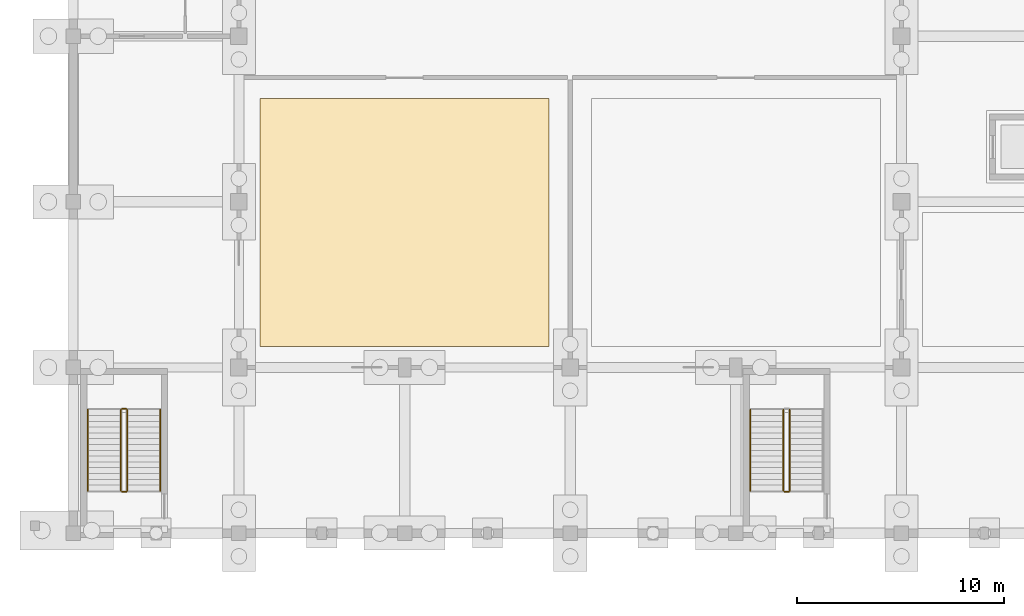
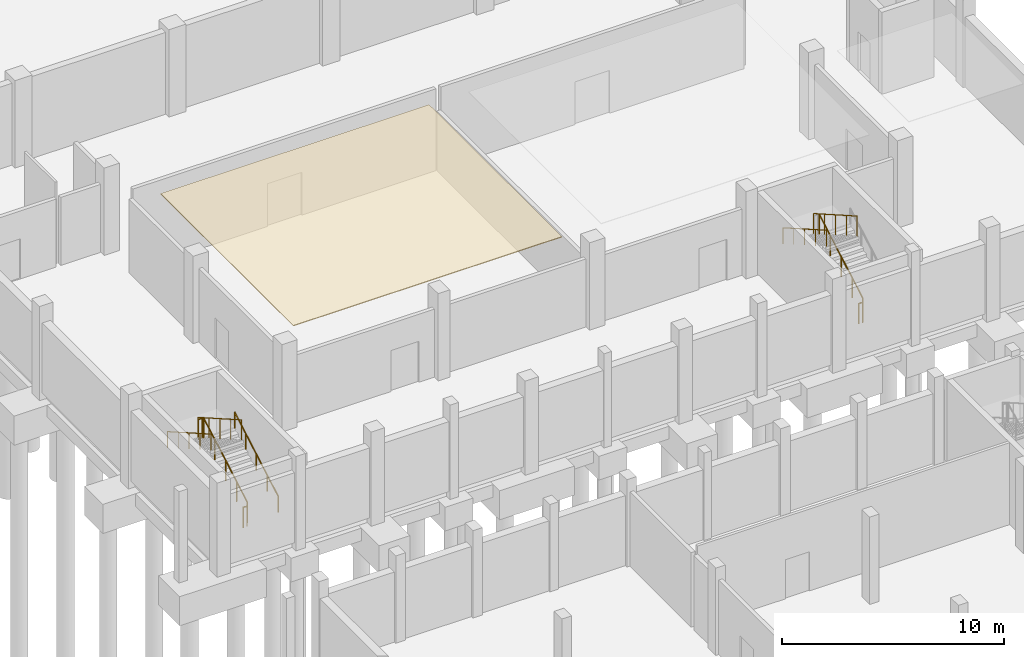
# One storey, part 39 of 52: 10 railings, 1 covering.
"""IFC4 building model written with IfcOpenShell, lengths in metres."""

from ifc_helpers import new_model, si_unit, direction, frame, origin, origin_2d, place, context, subcontext, project, spatial, polyline, circle, outline, extrude, material, layer, layer_set, type_object, element, save


model = new_model("IFC4")

# Units and contexts
model_context = context("Model", 3, precision=1e-05, world=origin(), true_north=direction((0.0, 1.0)))
body_context = subcontext(model_context, "Body", "Model", "MODEL_VIEW")
ifc_project = project(units=[si_unit("LENGTHUNIT", "METRE"), si_unit("AREAUNIT", "SQUARE_METRE"), si_unit("VOLUMEUNIT", "CUBIC_METRE"), si_unit("PLANEANGLEUNIT", "RADIAN"), si_unit("MASSUNIT", "GRAM", prefix="KILO")], contexts=[model_context])

# Site, building, storey
site_placement = place(None, origin())
site = spatial("IfcSite", under=ifc_project, at=site_placement, CompositionType="ELEMENT")
building_placement = place(site_placement, origin())
building = spatial("IfcBuilding", under=site, at=building_placement, Name="Luwemba Playhouse", CompositionType="ELEMENT")
storey_placement = place(building_placement, frame((0.0, 0.0, -4.800048828125)))
storey = spatial("IfcBuildingStorey", under=building, at=storey_placement, Name="B1", CompositionType="ELEMENT", Elevation=-4.800048828125)

# Covering
ifc_material_1 = material(Name="Perforated acoustic gypsum and timber baffle ceiling", Category="wood")
ifc_layer = layer(ifc_material_1, 0.044921875)
ifc_layer_set = layer_set([ifc_layer], Name="Perforated acoustic gypsum and timber baffle ceiling")
covering_type = type_object("IfcCoveringType", Name="COV-CEIL-AC", PredefinedType="CEILING", material=ifc_layer_set)
covering_placement = place(storey_placement, frame((0.0, 0.0, 4.455078125)))
element("IfcCovering", 1, at=covering_placement, inside=storey, type_object=covering_type, Name="B1 Orchestra Warm-Up Hall acoustic ceiling cloud", PredefinedType="CEILING", context=body_context, shape_type="SweptSolid", body=[
    extrude(outline(polyline([(13.02001953125, 45.02001953125), (26.97998046875, 45.02001953125), (26.97998046875, 56.97998046875), (13.02001953125, 56.97998046875), (13.02001953125, 45.02001953125)])), origin(), (0.0, 0.0, 1.0), 0.044921875),
])

# Railings
ifc_material_2 = material(Name="Painted wrought-iron gallery balustrade", Category="steel")
railing_type_1 = type_object("IfcRailingType", Name="RLG-BAL-INT", PredefinedType="BALUSTRADE", material=ifc_material_2)
railing_1_placement = place(storey_placement, frame((6.60009765625, 38.0400390625, 0.16015625)))
element("IfcRailing", 2, at=railing_1_placement, inside=storey, type_object=railing_type_1, Name="B1 ST-01 stair guard 1", PredefinedType="BALUSTRADE", context=body_context, shape_type="SweptSolid", body=[
    extrude(circle(Radius=0.02392578125, at=origin_2d()), frame((0.0, 0.0, 1.09619140625), z_axis=(0.0, 0.868239814368, 0.496144761885), x_axis=(-1.0, 0.0, 0.0)), (0.0, 0.0, 1.0), 4.514892578125),
    extrude(circle(Radius=0.02099609375, at=origin_2d()), origin(), (0.0, 0.0, 1.0), 1.072021484375),
    extrude(circle(Radius=0.02099609375, at=origin_2d()), frame((0.0, 0.97998046875, 0.56005859375)), (0.0, 0.0, 1.0), 1.072021484375),
    extrude(circle(Radius=0.02099609375, at=origin_2d()), frame((0.0, 1.9599609375, 1.1201171875)), (0.0, 0.0, 1.0), 1.072021484375),
    extrude(circle(Radius=0.02099609375, at=origin_2d()), frame((0.0, 2.93994140625, 1.679931640625)), (0.0, 0.0, 1.0), 1.072021484375),
    extrude(circle(Radius=0.02099609375, at=origin_2d()), frame((0.0, 3.919921875, 2.239990234375)), (0.0, 0.0, 1.0), 1.072021484375),
])
railing_2_placement = place(storey_placement, frame((6.550048828125, 42.010009765625, 2.400146484375)))
element("IfcRailing", 3, at=railing_2_placement, inside=storey, type_object=railing_type_1, Name="B1 ST-01 stair guard 2", PredefinedType="BALUSTRADE", context=body_context, shape_type="SweptSolid", body=[
    extrude(circle(Radius=0.02392578125, at=origin_2d()), frame((0.0, 0.0, 1.09619140625), z_axis=(-1.0, 0.0, 0.0), x_axis=(0.0, -1.0, 0.0)), (0.0, 0.0, 1.0), 0.199951171875),
    extrude(circle(Radius=0.02099609375, at=origin_2d()), origin(), (0.0, 0.0, 1.0), 1.072021484375),
    extrude(circle(Radius=0.02099609375, at=origin_2d()), frame((-0.199951171875, 0.0, 0.0)), (0.0, 0.0, 1.0), 1.072021484375),
])
railing_3_placement = place(storey_placement, frame((6.300048828125, 41.9599609375, 2.56005859375)))
element("IfcRailing", 4, at=railing_3_placement, inside=storey, type_object=railing_type_1, Name="B1 ST-01 stair guard 3", PredefinedType="BALUSTRADE", context=body_context, shape_type="SweptSolid", body=[
    extrude(circle(Radius=0.02392578125, at=origin_2d()), frame((0.0, 0.0, 1.09619140625), z_axis=(0.0, -0.868239814368, 0.496144761885), x_axis=(1.0, 0.0, 0.0)), (0.0, 0.0, 1.0), 4.514892578125),
    extrude(circle(Radius=0.02099609375, at=origin_2d()), origin(), (0.0, 0.0, 1.0), 1.072021484375),
    extrude(circle(Radius=0.02099609375, at=origin_2d()), frame((0.0, -0.97998046875, 0.56005859375)), (0.0, 0.0, 1.0), 1.072021484375),
    extrude(circle(Radius=0.02099609375, at=origin_2d()), frame((0.0, -1.9599609375, 1.1201171875)), (0.0, 0.0, 1.0), 1.072021484375),
    extrude(circle(Radius=0.02099609375, at=origin_2d()), frame((0.0, -2.93994140625, 1.679931640625)), (0.0, 0.0, 1.0), 1.072021484375),
    extrude(circle(Radius=0.02099609375, at=origin_2d()), frame((0.0, -3.919921875, 2.239990234375)), (0.0, 0.0, 1.0), 1.072021484375),
])
railing_4_placement = place(storey_placement, frame((6.550048828125, 37.989990234375, 0.0)))
element("IfcRailing", 5, at=railing_4_placement, inside=storey, type_object=railing_type_1, Name="B1 ST-01 stair guard 4", PredefinedType="BALUSTRADE", context=body_context, shape_type="SweptSolid", body=[
    extrude(circle(Radius=0.02392578125, at=origin_2d()), frame((0.0, 0.0, 1.09619140625), z_axis=(-1.0, 0.0, 0.0), x_axis=(0.0, -1.0, 0.0)), (0.0, 0.0, 1.0), 0.199951171875),
    extrude(circle(Radius=0.02099609375, at=origin_2d()), origin(), (0.0, 0.0, 1.0), 1.072021484375),
    extrude(circle(Radius=0.02099609375, at=origin_2d()), frame((-0.199951171875, 0.0, 0.0)), (0.0, 0.0, 1.0), 1.072021484375),
])
railing_5_placement = place(storey_placement, frame((38.60009765625, 38.0400390625, 0.16015625)))
element("IfcRailing", 6, at=railing_5_placement, inside=storey, type_object=railing_type_1, Name="B1 ST-02 stair guard 1", PredefinedType="BALUSTRADE", context=body_context, shape_type="SweptSolid", body=[
    extrude(circle(Radius=0.02392578125, at=origin_2d()), frame((0.0, 0.0, 1.09619140625), z_axis=(0.0, 0.868239814368, 0.496144761885), x_axis=(-1.0, 0.0, 0.0)), (0.0, 0.0, 1.0), 4.514892578125),
    extrude(circle(Radius=0.02099609375, at=origin_2d()), origin(), (0.0, 0.0, 1.0), 1.072021484375),
    extrude(circle(Radius=0.02099609375, at=origin_2d()), frame((0.0, 0.97998046875, 0.56005859375)), (0.0, 0.0, 1.0), 1.072021484375),
    extrude(circle(Radius=0.02099609375, at=origin_2d()), frame((0.0, 1.9599609375, 1.1201171875)), (0.0, 0.0, 1.0), 1.072021484375),
    extrude(circle(Radius=0.02099609375, at=origin_2d()), frame((0.0, 2.93994140625, 1.679931640625)), (0.0, 0.0, 1.0), 1.072021484375),
    extrude(circle(Radius=0.02099609375, at=origin_2d()), frame((0.0, 3.919921875, 2.239990234375)), (0.0, 0.0, 1.0), 1.072021484375),
])
railing_6_placement = place(storey_placement, frame((38.300048828125, 41.9599609375, 2.56005859375)))
element("IfcRailing", 7, at=railing_6_placement, inside=storey, type_object=railing_type_1, Name="B1 ST-02 stair guard 3", PredefinedType="BALUSTRADE", context=body_context, shape_type="SweptSolid", body=[
    extrude(circle(Radius=0.02392578125, at=origin_2d()), frame((0.0, 0.0, 1.09619140625), z_axis=(0.0, -0.868239814368, 0.496144761885), x_axis=(1.0, 0.0, 0.0)), (0.0, 0.0, 1.0), 4.514892578125),
    extrude(circle(Radius=0.02099609375, at=origin_2d()), origin(), (0.0, 0.0, 1.0), 1.072021484375),
    extrude(circle(Radius=0.02099609375, at=origin_2d()), frame((0.0, -0.97998046875, 0.56005859375)), (0.0, 0.0, 1.0), 1.072021484375),
    extrude(circle(Radius=0.02099609375, at=origin_2d()), frame((0.0, -1.9599609375, 1.1201171875)), (0.0, 0.0, 1.0), 1.072021484375),
    extrude(circle(Radius=0.02099609375, at=origin_2d()), frame((0.0, -2.93994140625, 1.679931640625)), (0.0, 0.0, 1.0), 1.072021484375),
    extrude(circle(Radius=0.02099609375, at=origin_2d()), frame((0.0, -3.919921875, 2.239990234375)), (0.0, 0.0, 1.0), 1.072021484375),
])
railing_7_placement = place(storey_placement, frame((38.550048828125, 37.989990234375, 0.0)))
element("IfcRailing", 8, at=railing_7_placement, inside=storey, type_object=railing_type_1, Name="B1 ST-02 stair guard 4", PredefinedType="BALUSTRADE", context=body_context, shape_type="SweptSolid", body=[
    extrude(circle(Radius=0.02392578125, at=origin_2d()), frame((0.0, 0.0, 1.09619140625), z_axis=(-1.0, 0.0, 0.0), x_axis=(0.0, -1.0, 0.0)), (0.0, 0.0, 1.0), 0.199951171875),
    extrude(circle(Radius=0.02099609375, at=origin_2d()), origin(), (0.0, 0.0, 1.0), 1.072021484375),
    extrude(circle(Radius=0.02099609375, at=origin_2d()), frame((-0.199951171875, 0.0, 0.0)), (0.0, 0.0, 1.0), 1.072021484375),
])
ifc_material_3 = material(Name="Hardwood and bronze handrail", Category="wood")
railing_type_2 = type_object("IfcRailingType", Name="RLG-HR-INT", PredefinedType="HANDRAIL", material=ifc_material_3)
railing_8_placement = place(storey_placement, frame((8.199951171875, 38.0400390625, 0.16015625)))
element("IfcRailing", 9, at=railing_8_placement, inside=storey, type_object=railing_type_2, Name="B1 ST-01 stair handrail 1", PredefinedType="HANDRAIL", context=body_context, shape_type="SweptSolid", body=[
    extrude(circle(Radius=0.02392578125, at=origin_2d()), frame((0.0, 0.0, 0.8759765625), z_axis=(0.0, 0.868239814368, 0.496144761885), x_axis=(-1.0, 0.0, 0.0)), (0.0, 0.0, 1.0), 4.514892578125),
    extrude(circle(Radius=0.02099609375, at=origin_2d()), origin(), (0.0, 0.0, 1.0), 0.851806640625),
    extrude(circle(Radius=0.02099609375, at=origin_2d()), frame((0.0, 0.97998046875, 0.56005859375)), (0.0, 0.0, 1.0), 0.851806640625),
    extrude(circle(Radius=0.02099609375, at=origin_2d()), frame((0.0, 1.9599609375, 1.1201171875)), (0.0, 0.0, 1.0), 0.851806640625),
    extrude(circle(Radius=0.02099609375, at=origin_2d()), frame((0.0, 2.93994140625, 1.679931640625)), (0.0, 0.0, 1.0), 0.851806640625),
    extrude(circle(Radius=0.02099609375, at=origin_2d()), frame((0.0, 3.919921875, 2.239990234375)), (0.0, 0.0, 1.0), 0.851806640625),
])
for number, where, name in (
    (10, (4.699951171875, 41.9599609375, 2.56005859375), "B1 ST-01 stair handrail 2"),
    (11, (36.699951171875, 41.9599609375, 2.56005859375), "B1 ST-02 stair handrail 2"),
):
    element("IfcRailing", number, at=place(storey_placement, frame(where)), inside=storey, type_object=railing_type_2, Name=name, PredefinedType="HANDRAIL", context=body_context, shape_type="SweptSolid", body=[
        extrude(circle(Radius=0.02392578125, at=origin_2d()), frame((0.0, 0.0, 0.8759765625), z_axis=(0.0, -0.868239814368, 0.496144761885), x_axis=(1.0, 0.0, 0.0)), (0.0, 0.0, 1.0), 4.514892578125),
        extrude(circle(Radius=0.02099609375, at=origin_2d()), origin(), (0.0, 0.0, 1.0), 0.851806640625),
        extrude(circle(Radius=0.02099609375, at=origin_2d()), frame((0.0, -0.97998046875, 0.56005859375)), (0.0, 0.0, 1.0), 0.851806640625),
        extrude(circle(Radius=0.02099609375, at=origin_2d()), frame((0.0, -1.9599609375, 1.1201171875)), (0.0, 0.0, 1.0), 0.851806640625),
        extrude(circle(Radius=0.02099609375, at=origin_2d()), frame((0.0, -2.93994140625, 1.679931640625)), (0.0, 0.0, 1.0), 0.851806640625),
        extrude(circle(Radius=0.02099609375, at=origin_2d()), frame((0.0, -3.919921875, 2.239990234375)), (0.0, 0.0, 1.0), 0.851806640625),
    ])

save(model, "model.ifc")
